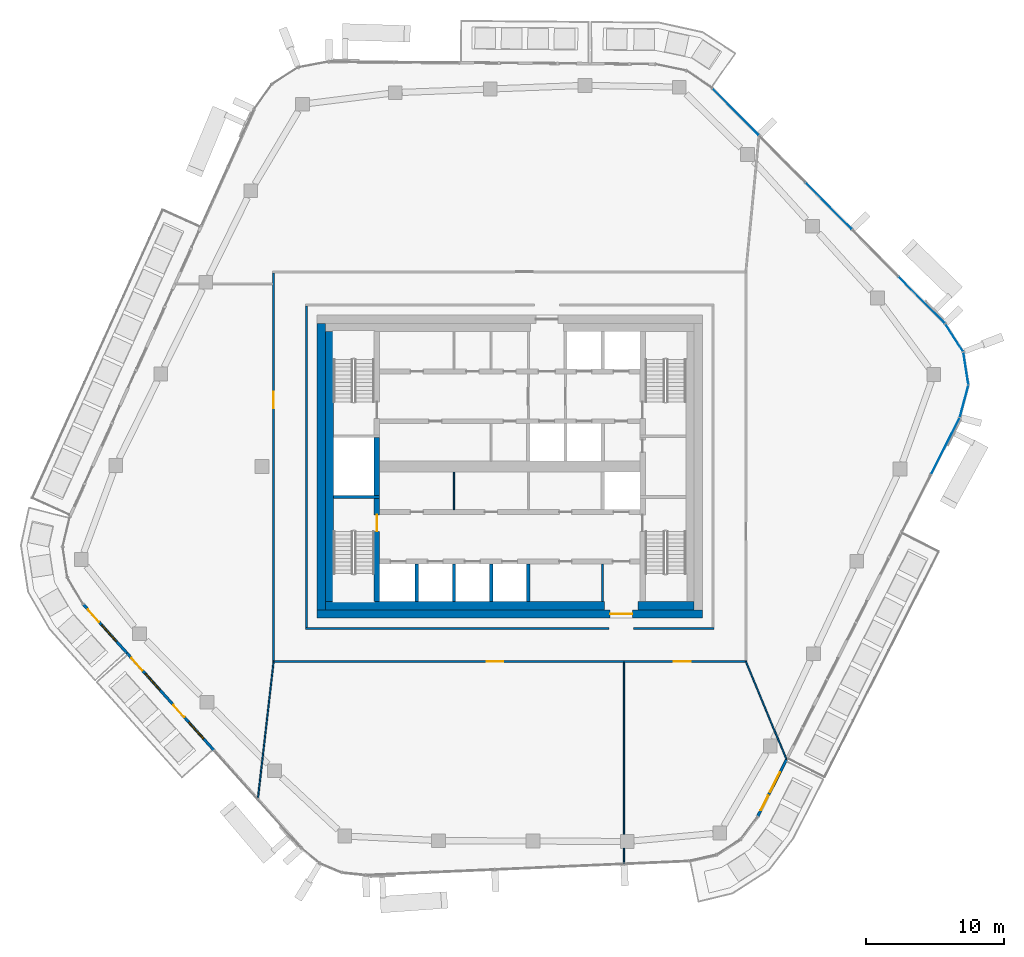
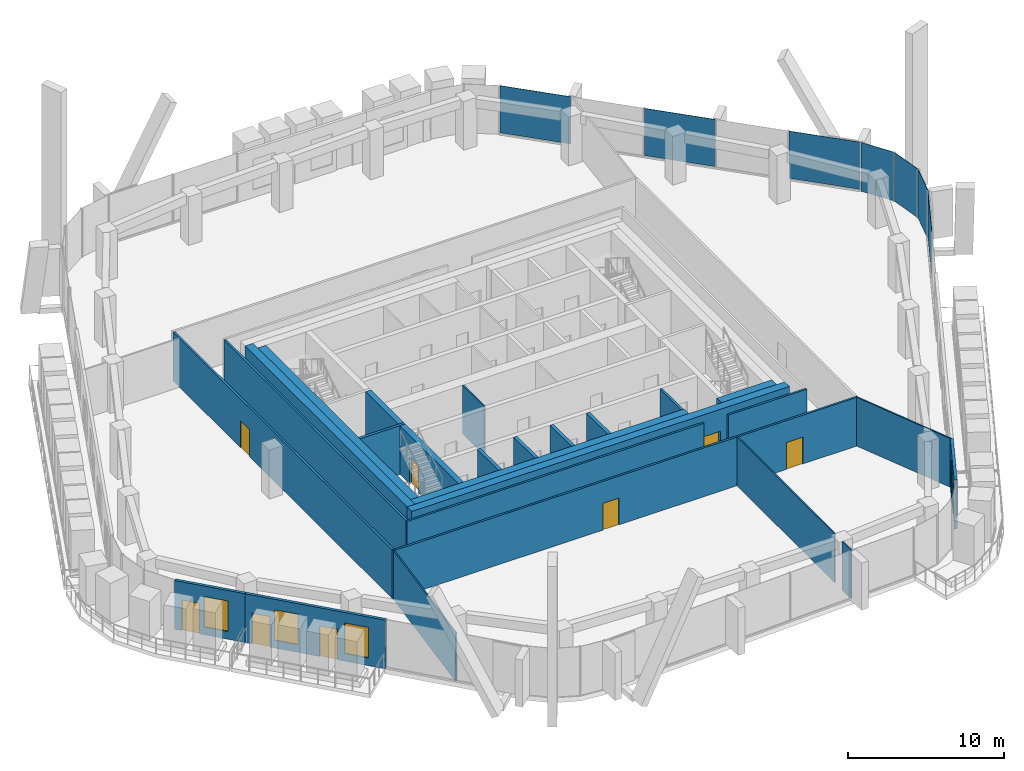
# One storey, part 12 of 23: 26 walls, 9 doors, 7 plates, 4 windows, 13 openings, 3 elements without a shape of their own.
"""IFC4 building model written with IfcOpenShell, lengths in metres."""

from ifc_helpers import new_model, si_unit, direction, frame, frame_2d, origin, origin_2d, place, context, subcontext, project, spatial, rectangle, extrude, material, layer, layer_set, type_object, element, fill, aggregate, save


model = new_model("IFC4")

# Units and contexts
model_context = context("Model", 3, precision=1e-05, world=origin(), true_north=direction((0.0, 1.0)))
body_context = subcontext(model_context, "Body", "Model", "MODEL_VIEW")
ifc_project = project(units=[si_unit("LENGTHUNIT", "METRE"), si_unit("AREAUNIT", "SQUARE_METRE"), si_unit("VOLUMEUNIT", "CUBIC_METRE"), si_unit("PLANEANGLEUNIT", "RADIAN"), si_unit("MASSUNIT", "GRAM", prefix="KILO")], contexts=[model_context])

# Site, building, storey
site_placement = place(None, origin())
site = spatial("IfcSite", under=ifc_project, at=site_placement, CompositionType="ELEMENT")
building_placement = place(site_placement, origin())
building = spatial("IfcBuilding", under=site, at=building_placement, Name="Dongbaek Canopy Tower", CompositionType="ELEMENT")
storey_placement = place(building_placement, frame((0.0, 0.0, 319.39990234375)))
storey = spatial("IfcBuildingStorey", under=building, at=storey_placement, Name="L68", CompositionType="ELEMENT", Elevation=319.39990234375)

# Curtain wall, plates
ifc_material_1 = material(Name="Aluminium 6063-T6 pale anodised", Category="aluminium")
ifc_layer_1 = layer(ifc_material_1, 0.199951171875)
ifc_layer_set_1 = layer_set([ifc_layer_1], Name="CW-1 unitised tower curtain wall")
curtain_wall_type = type_object("IfcCurtainWallType", Name="CW-1 unitised tower curtain wall", PredefinedType="NOTDEFINED", material=ifc_layer_set_1)
curtain_wall_1_placement = place(storey_placement, origin())
curtain_wall_1 = element("IfcCurtainWall", 1, at=curtain_wall_1_placement, inside=storey, type_object=curtain_wall_type, Name="CW-1 curtain wall K0.1", PredefinedType="NOTDEFINED")
ifc_material_2 = material(Name="Clear laminated glass", Category="glass")
ifc_layer_2 = layer(ifc_material_2, 0.028076171875)
ifc_layer_set_2 = layer_set([ifc_layer_2], Name="CW-1 glazed panel 28")
plate_type = type_object("IfcPlateType", Name="CW-1 glazed panel 28", PredefinedType="CURTAIN_PANEL", material=ifc_layer_set_2)
plate_1_placement = place(storey_placement, frame((33.002685546875, 4.7451171875, 0.0), z_axis=(0.0, 0.0, 1.0), x_axis=(0.257891541817, 0.966173872892, 0.0)))
plate_1 = element("IfcPlate", 2, at=plate_1_placement, type_object=plate_type, Name="CW-1 panel K0.1.1.1", PredefinedType="CURTAIN_PANEL", context=body_context, shape_type="SweptSolid", body=[
    extrude(rectangle(XDim=2.364013671875, YDim=0.028076171875, at=origin_2d()), origin(), (0.0, 0.0, 1.0), 3.820068359375),
])
plate_2_placement = place(storey_placement, frame((33.1298828125, 7.131591796875, 0.0), z_axis=(0.0, 0.0, 1.0), x_axis=(-0.154802153069, 0.98794549111, 0.0)))
plate_2 = element("IfcPlate", 3, at=plate_2_placement, type_object=plate_type, Name="CW-1 panel K0.1.2.1", PredefinedType="CURTAIN_PANEL", context=body_context, shape_type="SweptSolid", body=[
    extrude(rectangle(XDim=2.353271484375, YDim=0.028076171875, at=origin_2d()), origin(), (0.0, 0.0, 1.0), 3.820068359375),
])
plate_3_placement = place(storey_placement, frame((32.27880859375, 9.364990234375, 0.0), z_axis=(0.0, 0.0, 1.0), x_axis=(-0.54105717443, 0.840985810818, 0.0)))
plate_3 = element("IfcPlate", 4, at=plate_3_placement, type_object=plate_type, Name="CW-1 panel K0.1.3.1", PredefinedType="CURTAIN_PANEL", context=body_context, shape_type="SweptSolid", body=[
    extrude(rectangle(XDim=2.364013671875, YDim=0.028076171875, at=origin_2d()), origin(), (0.0, 0.0, 1.0), 3.820068359375),
])
aggregate(curtain_wall_1, [plate_1, plate_2, plate_3])

curtain_wall_2_placement = place(storey_placement, origin())
curtain_wall_2 = element("IfcCurtainWall", 5, at=curtain_wall_2_placement, inside=storey, type_object=curtain_wall_type, Name="CW-1 curtain wall F0.1", PredefinedType="NOTDEFINED")
plate_4_placement = place(storey_placement, frame((29.929931640625, 12.099853515625, 0.1201171875), z_axis=(0.0, 0.0, 1.0), x_axis=(-0.703156354287, 0.711035260325, 0.0)))
plate_4 = element("IfcPlate", 6, at=plate_4_placement, type_object=plate_type, Name="CW-1 panel F0.1.1.1", PredefinedType="CURTAIN_PANEL", context=body_context, shape_type="SweptSolid", body=[
    extrude(rectangle(XDim=4.713134765625, YDim=0.028076171875, at=origin_2d()), origin(), (0.0, 0.0, 1.0), 3.699951171875),
])
plate_5_placement = place(storey_placement, frame((23.172607421875, 18.93310546875, 0.1201171875), z_axis=(0.0, 0.0, 1.0), x_axis=(-0.703156354287, 0.711035260325, 0.0)))
plate_5 = element("IfcPlate", 7, at=plate_5_placement, type_object=plate_type, Name="CW-1 panel F0.1.3.1", PredefinedType="CURTAIN_PANEL", context=body_context, shape_type="SweptSolid", body=[
    extrude(rectangle(XDim=4.7236328125, YDim=0.028076171875, at=origin_2d()), origin(), (0.0, 0.0, 1.0), 3.699951171875),
])
plate_6_placement = place(storey_placement, frame((16.414794921875, 25.766357421875, 0.1201171875), z_axis=(0.0, 0.0, 1.0), x_axis=(-0.703156354287, 0.711035260325, 0.0)))
plate_6 = element("IfcPlate", 8, at=plate_6_placement, type_object=plate_type, Name="CW-1 panel F0.1.5.1", PredefinedType="CURTAIN_PANEL", context=body_context, shape_type="SweptSolid", body=[
    extrude(rectangle(XDim=4.7138671875, YDim=0.028076171875, at=origin_2d()), origin(), (0.0, 0.0, 1.0), 3.699951171875),
])
aggregate(curtain_wall_2, [plate_4, plate_5, plate_6])

# Curtain wall, plate
curtain_wall_3_placement = place(storey_placement, origin())
curtain_wall_3 = element("IfcCurtainWall", 9, at=curtain_wall_3_placement, inside=storey, type_object=curtain_wall_type, Name="CW-1 curtain wall F5.1", PredefinedType="NOTDEFINED")
plate_7_placement = place(storey_placement, frame((31.640380859375, 1.496337890625, 0.1201171875), z_axis=(0.0, 0.0, 1.0), x_axis=(0.451969985266, 0.892033145359, 0.0)))
plate_7 = element("IfcPlate", 10, at=plate_7_placement, type_object=plate_type, Name="CW-1 panel F5.1.2.1", PredefinedType="CURTAIN_PANEL", context=body_context, shape_type="SweptSolid", body=[
    extrude(rectangle(XDim=4.548095703125, YDim=0.028076171875, at=origin_2d()), origin(), (0.0, 0.0, 1.0), 3.699951171875),
])
aggregate(curtain_wall_3, [plate_7])

# Wall, opening, door
ifc_material_3 = material(Name="Concrete C80/95", Category="concrete")
ifc_layer_3 = layer(ifc_material_3, 0.60009765625)
ifc_layer_set_3 = layer_set([ifc_layer_3], Name="Core outer wall 600 Concrete C80/95")
wall_type_1 = type_object("IfcWallType", Name="Core outer wall 600 Concrete C80/95", PredefinedType="SHEAR", material=ifc_layer_set_3)
wall_1_placement = place(storey_placement, frame((14.0, -10.699951171875, 0.0), z_axis=(0.0, 0.0, 1.0), x_axis=(-1.0, 0.0, 0.0)))
wall_1 = element("IfcWall", 11, at=wall_1_placement, inside=storey, type_object=wall_type_1, Name="Core wall", PredefinedType="SHEAR", context=body_context, shape_type="SweptSolid", body=[
    extrude(rectangle(XDim=28.0, YDim=0.60009765625, at=frame_2d((14.0, 0.0))), origin(), (0.0, 0.0, 1.0), 3.820068359375),
])
opening_1_placement = place(wall_1_placement, frame((5.10009765625, 0.0, 0.0)))
opening_1 = element("IfcOpeningElement", 12, at=opening_1_placement, cuts=wall_1, Name="Opening L68-D019", PredefinedType="OPENING", context=body_context, shape_type="SweptSolid", body=[
    extrude(rectangle(XDim=1.60009765625, YDim=2.10009765625, at=frame_2d((0.800048828125, 1.050048828125))), frame((0.0, 0.31005859375, 0.0), z_axis=(0.0, -1.0, 0.0), x_axis=(1.0, 0.0, 0.0)), (0.0, 0.0, 1.0), 0.6201171875),
])
ifc_material_4 = material(Name="Steel", Category="steel")
door_type_1 = type_object("IfcDoorType", Name="Core exit door 1600 x 2100", OperationType="DOUBLE_DOOR_SINGLE_SWING", PredefinedType="DOOR", material=ifc_material_4)
door_1_placement = place(opening_1_placement, origin())
door_1 = element("IfcDoor", 13, at=door_1_placement, inside=storey, type_object=door_type_1, Name="Core exit door", OperationType="DOUBLE_DOOR_SINGLE_SWING", OverallHeight=2.10009765625, OverallWidth=1.60009765625, PredefinedType="DOOR", context=body_context, shape_type="SweptSolid", body=[
    extrude(rectangle(XDim=1.60009765625, YDim=2.10009765625, at=frame_2d((0.800048828125, 1.050048828125))), frame((0.0, 0.02490234375, 0.0), z_axis=(0.0, -1.0, 0.0), x_axis=(1.0, 0.0, 0.0)), (0.0, 0.0, 1.0), 0.050048828125),
])
fill(opening_1, door_1)

# Walls
wall_2_placement = place(storey_placement, frame((-13.699951171875, -10.39990234375, 0.0), z_axis=(0.0, 0.0, 1.0), x_axis=(0.0, 1.0, 0.0)))
element("IfcWall", 14, at=wall_2_placement, inside=storey, type_object=wall_type_1, Name="Core wall", PredefinedType="SHEAR", context=body_context, shape_type="SweptSolid", body=[
    extrude(rectangle(XDim=20.7998046875, YDim=0.60009765625, at=frame_2d((10.39990234375, 0.0))), origin(), (0.0, 0.0, 1.0), 3.820068359375),
])
ifc_material_5 = material(Name="Concrete C60/75", Category="concrete")
ifc_layer_4 = layer(ifc_material_5, 0.60009765625)
ifc_layer_set_4 = layer_set([ifc_layer_4], Name="Core wall lining 600 Concrete C60/75")
wall_type_2 = type_object("IfcWallType", Name="Core wall lining 600 Concrete C60/75", PredefinedType="SHEAR", material=ifc_layer_set_4)
wall_3_placement = place(storey_placement, frame((13.39990234375, -10.10009765625, 0.0), z_axis=(0.0, 0.0, 1.0), x_axis=(-1.0, 0.0, 0.0)))
element("IfcWall", 15, at=wall_3_placement, inside=storey, type_object=wall_type_2, Name="Core wall lining", PredefinedType="SHEAR", context=body_context, shape_type="SweptSolid", body=[
    extrude(rectangle(XDim=4.099853515625, YDim=0.60009765625, at=frame_2d((2.0498046875, 0.0))), origin(), (0.0, 0.0, 1.0), 3.820068359375),
])
wall_4_placement = place(storey_placement, frame((6.89990234375, -10.10009765625, 0.0), z_axis=(0.0, 0.0, 1.0), x_axis=(-1.0, 0.0, 0.0)))
element("IfcWall", 16, at=wall_4_placement, inside=storey, type_object=wall_type_2, Name="Core wall lining", PredefinedType="SHEAR", context=body_context, shape_type="SweptSolid", body=[
    extrude(rectangle(XDim=20.2998046875, YDim=0.60009765625, at=frame_2d((10.14990234375, 0.0))), origin(), (0.0, 0.0, 1.0), 3.820068359375),
])
wall_5_placement = place(storey_placement, frame((-13.10009765625, -9.800048828125, 0.0), z_axis=(0.0, 0.0, 1.0), x_axis=(0.0, 1.0, 0.0)))
element("IfcWall", 17, at=wall_5_placement, inside=storey, type_object=wall_type_2, Name="Core wall lining", PredefinedType="SHEAR", context=body_context, shape_type="SweptSolid", body=[
    extrude(rectangle(XDim=19.60009765625, YDim=0.60009765625, at=frame_2d((9.800048828125, 0.0))), origin(), (0.0, 0.0, 1.0), 3.820068359375),
])

# Wall, openings, doors
ifc_material_6 = material(Name="Gypsum board partition, steel stud, 2 x 15 mm fire board", Category="steel")
ifc_layer_5 = layer(ifc_material_6, 0.14990234375)
ifc_layer_set_5 = layer_set([ifc_layer_5], Name="Fire-rated partition 150 gypsum board")
wall_type_3 = type_object("IfcWallType", Name="Fire-rated partition 150 gypsum board", PredefinedType="PARTITIONING", material=ifc_layer_set_5)
wall_6_placement = place(storey_placement, frame((17.22509765625, -14.14990234375, 0.0), z_axis=(0.0, 0.0, 1.0), x_axis=(-1.0, 0.0, 0.0)))
wall_6 = element("IfcWall", 18, at=wall_6_placement, inside=storey, type_object=wall_type_3, Name="Corridor partition", PredefinedType="PARTITIONING", context=body_context, shape_type="SweptSolid", body=[
    extrude(rectangle(XDim=34.4501953125, YDim=0.14990234375, at=frame_2d((17.22509765625, 0.0))), origin(), (0.0, 0.0, 1.0), 3.820068359375),
])
opening_2_placement = place(wall_6_placement, frame((17.7109375, 0.0, 0.0)))
opening_2 = element("IfcOpeningElement", 19, at=opening_2_placement, cuts=wall_6, Name="Opening L68-D002", PredefinedType="OPENING", context=body_context, shape_type="SweptSolid", body=[
    extrude(rectangle(XDim=1.199951171875, YDim=2.10009765625, at=frame_2d((0.60009765625, 1.050048828125))), frame((0.0, 0.0849609375, 0.0), z_axis=(0.0, -1.0, 0.0), x_axis=(1.0, 0.0, 0.0)), (0.0, 0.0, 1.0), 0.169921875),
])
opening_3_placement = place(wall_6_placement, frame((4.094482421875, 0.0, 0.0)))
opening_3 = element("IfcOpeningElement", 20, at=opening_3_placement, cuts=wall_6, Name="Opening L68-D003", PredefinedType="OPENING", context=body_context, shape_type="SweptSolid", body=[
    extrude(rectangle(XDim=1.199951171875, YDim=2.10009765625, at=frame_2d((0.60009765625, 1.050048828125))), frame((0.0, 0.0849609375, 0.0), z_axis=(0.0, -1.0, 0.0), x_axis=(1.0, 0.0, 0.0)), (0.0, 0.0, 1.0), 0.169921875),
])
ifc_material_7 = material(Name="Timber veneered door leaf", Category="wood")
door_type_2 = type_object("IfcDoorType", Name="Room door 1200 x 2100", OperationType="SINGLE_SWING_LEFT", PredefinedType="DOOR", material=ifc_material_7)
door_2_placement = place(opening_2_placement, origin())
door_2 = element("IfcDoor", 21, at=door_2_placement, inside=storey, type_object=door_type_2, Name="Door L68-D002", OperationType="SINGLE_SWING_LEFT", OverallHeight=2.10009765625, OverallWidth=1.199951171875, PredefinedType="DOOR", context=body_context, shape_type="SweptSolid", body=[
    extrude(rectangle(XDim=1.199951171875, YDim=2.10009765625, at=frame_2d((0.60009765625, 1.050048828125))), frame((0.0, 0.02490234375, 0.0), z_axis=(0.0, -1.0, 0.0), x_axis=(1.0, 0.0, 0.0)), (0.0, 0.0, 1.0), 0.050048828125),
])
fill(opening_2, door_2)
door_3_placement = place(opening_3_placement, origin())
door_3 = element("IfcDoor", 22, at=door_3_placement, inside=storey, type_object=door_type_2, Name="Door L68-D003", OperationType="SINGLE_SWING_RIGHT", OverallHeight=2.10009765625, OverallWidth=1.199951171875, PredefinedType="DOOR", context=body_context, shape_type="SweptSolid", body=[
    extrude(rectangle(XDim=1.199951171875, YDim=2.10009765625, at=frame_2d((0.60009765625, 1.050048828125))), frame((0.0, 0.02490234375, 0.0), z_axis=(0.0, -1.0, 0.0), x_axis=(1.0, 0.0, 0.0)), (0.0, 0.0, 1.0), 0.050048828125),
])
fill(opening_3, door_3)

# Walls
wall_7_placement = place(storey_placement, frame((-14.824951171875, -11.75, 0.0), z_axis=(0.0, 0.0, 1.0), x_axis=(1.0, 0.0, 0.0)))
element("IfcWall", 23, at=wall_7_placement, inside=storey, type_object=wall_type_3, Name="Corridor partition", PredefinedType="PARTITIONING", context=body_context, shape_type="SweptSolid", body=[
    extrude(rectangle(XDim=22.02490234375, YDim=0.14990234375, at=frame_2d((11.012451171875, 0.0))), origin(), (0.0, 0.0, 1.0), 3.820068359375),
])
wall_8_placement = place(storey_placement, frame((9.0, -11.75, 0.0), z_axis=(0.0, 0.0, 1.0), x_axis=(1.0, 0.0, 0.0)))
element("IfcWall", 24, at=wall_8_placement, inside=storey, type_object=wall_type_3, Name="Corridor partition", PredefinedType="PARTITIONING", context=body_context, shape_type="SweptSolid", body=[
    extrude(rectangle(XDim=5.824951171875, YDim=0.14990234375, at=frame_2d((2.91259765625, 0.0))), origin(), (0.0, 0.0, 1.0), 3.820068359375),
])
wall_9_placement = place(storey_placement, frame((-14.75, -11.675048828125, 0.0), z_axis=(0.0, 0.0, 1.0), x_axis=(0.0, 1.0, 0.0)))
element("IfcWall", 25, at=wall_9_placement, inside=storey, type_object=wall_type_3, Name="Corridor partition", PredefinedType="PARTITIONING", context=body_context, shape_type="SweptSolid", body=[
    extrude(rectangle(XDim=23.35009765625, YDim=0.14990234375, at=frame_2d((11.675048828125, 0.0))), origin(), (0.0, 0.0, 1.0), 3.820068359375),
])

# Wall, opening, door
wall_10_placement = place(storey_placement, frame((-17.14990234375, -14.074951171875, 0.0), z_axis=(0.0, 0.0, 1.0), x_axis=(0.0, 1.0, 0.0)))
wall_10 = element("IfcWall", 26, at=wall_10_placement, inside=storey, type_object=wall_type_3, Name="Corridor partition", PredefinedType="PARTITIONING", context=body_context, shape_type="SweptSolid", body=[
    extrude(rectangle(XDim=28.14990234375, YDim=0.14990234375, at=frame_2d((14.074951171875, 0.0))), origin(), (0.0, 0.0, 1.0), 3.820068359375),
])
opening_4_placement = place(wall_10_placement, frame((18.2978515625, 0.0, 0.0)))
opening_4 = element("IfcOpeningElement", 27, at=opening_4_placement, cuts=wall_10, Name="Opening L68-D001", PredefinedType="OPENING", context=body_context, shape_type="SweptSolid", body=[
    extrude(rectangle(XDim=1.199951171875, YDim=2.10009765625, at=frame_2d((0.60009765625, 1.050048828125))), frame((0.0, 0.0849609375, 0.0), z_axis=(0.0, -1.0, 0.0), x_axis=(1.0, 0.0, 0.0)), (0.0, 0.0, 1.0), 0.169921875),
])
door_4_placement = place(opening_4_placement, origin())
door_4 = element("IfcDoor", 28, at=door_4_placement, inside=storey, type_object=door_type_2, Name="Door L68-D001", OperationType="SINGLE_SWING_RIGHT", OverallHeight=2.10009765625, OverallWidth=1.199951171875, PredefinedType="DOOR", context=body_context, shape_type="SweptSolid", body=[
    extrude(rectangle(XDim=1.199951171875, YDim=2.10009765625, at=frame_2d((0.60009765625, 1.050048828125))), frame((0.0, 0.02490234375, 0.0), z_axis=(0.0, -1.0, 0.0), x_axis=(1.0, 0.0, 0.0)), (0.0, 0.0, 1.0), 0.050048828125),
])
fill(opening_4, door_4)

# Walls
wall_11_placement = place(storey_placement, frame((6.75, -9.800048828125, 0.0), z_axis=(0.0, 0.0, 1.0), x_axis=(0.0, 1.0, 0.0)))
element("IfcWall", 29, at=wall_11_placement, inside=storey, type_object=wall_type_3, Name="Fire lobby partition", PredefinedType="PARTITIONING", context=body_context, shape_type="SweptSolid", body=[
    extrude(rectangle(XDim=2.72509765625, YDim=0.14990234375, at=frame_2d((1.362548828125, 0.0))), origin(), (0.0, 0.0, 1.0), 3.820068359375),
])
ifc_material_8 = material(Name="Concrete C40/50", Category="concrete")
ifc_layer_6 = layer(ifc_material_8, 0.25)
ifc_layer_set_6 = layer_set([ifc_layer_6], Name="Lift shaft wall 250 Concrete C40/50")
wall_type_4 = type_object("IfcWallType", Name="Lift shaft wall 250 Concrete C40/50", PredefinedType="SOLIDWALL", material=ifc_layer_set_6)
for number, where, z_axis, x_axis, name in (
    (30, (1.35009765625, -9.800048828125, 0.0), (0.0, 0.0, 1.0), (0.0, 1.0, 0.0), "Lift shaft wall"),
    (31, (-1.35009765625, -9.800048828125, 0.0), (0.0, 0.0, 1.0), (0.0, 1.0, 0.0), "Lift shaft wall"),
    (32, (-4.050048828125, -9.800048828125, 0.0), (0.0, 0.0, 1.0), (0.0, 1.0, 0.0), "Lift shaft wall"),
    (33, (-6.75, -9.800048828125, 0.0), (0.0, 0.0, 1.0), (0.0, 1.0, 0.0), "Lift shaft wall"),
):
    element("IfcWall", number, at=place(storey_placement, frame(where, z_axis=z_axis, x_axis=x_axis)), inside=storey, type_object=wall_type_4, Name=name, PredefinedType="SOLIDWALL", context=body_context, shape_type="SweptSolid", body=[
        extrude(rectangle(XDim=2.72509765625, YDim=0.25, at=frame_2d((1.362548828125, 0.0))), origin(), (0.0, 0.0, 1.0), 3.820068359375),
    ])
ifc_material_9 = material(Name="Gypsum board partition, steel stud, 2 x 12.5 mm board", Category="steel")
ifc_layer_7 = layer(ifc_material_9, 0.10009765625)
ifc_layer_set_7 = layer_set([ifc_layer_7], Name="Partition 100 gypsum board")
wall_type_5 = type_object("IfcWallType", Name="Partition 100 gypsum board", PredefinedType="PARTITIONING", material=ifc_layer_set_7)
wall_12_placement = place(storey_placement, frame((-18.295654296875, -24.140380859375, 0.0), z_axis=(0.0, 0.0, 1.0), x_axis=(0.11391359401, 0.993490660801, 0.0)))
element("IfcWall", 34, at=wall_12_placement, inside=storey, type_object=wall_type_5, Name="Partition", PredefinedType="PARTITIONING", context=body_context, shape_type="SweptSolid", body=[
    extrude(rectangle(XDim=10.055908203125, YDim=0.10009765625, at=frame_2d((5.02783203125, 0.0))), origin(), (0.0, 0.0, 1.0), 3.820068359375),
])
wall_13_placement = place(storey_placement, frame((8.302978515625, -28.82958984375, 0.0), z_axis=(0.0, 0.0, 1.0), x_axis=(0.0, 1.0, 0.0)))
element("IfcWall", 35, at=wall_13_placement, inside=storey, type_object=wall_type_5, Name="Partition", PredefinedType="PARTITIONING", context=body_context, shape_type="SweptSolid", body=[
    extrude(rectangle(XDim=1.1025390625, YDim=0.10009765625, at=frame_2d((0.55126953125, 0.0))), origin(), (0.0, 0.0, 1.0), 3.820068359375),
])
wall_14_placement = place(storey_placement, frame((8.302978515625, -26.72705078125, 0.0), z_axis=(0.0, 0.0, 1.0), x_axis=(0.0, 1.0, 0.0)))
element("IfcWall", 36, at=wall_14_placement, inside=storey, type_object=wall_type_5, Name="Partition", PredefinedType="PARTITIONING", context=body_context, shape_type="SweptSolid", body=[
    extrude(rectangle(XDim=12.501953125, YDim=0.10009765625, at=frame_2d((6.2509765625, 0.0))), origin(), (0.0, 0.0, 1.0), 3.820068359375),
])
wall_15_placement = place(storey_placement, frame((17.150390625, -14.14990234375, 0.0), z_axis=(0.0, 0.0, 1.0), x_axis=(0.382693080748, -0.923875535961, 0.0)))
element("IfcWall", 37, at=wall_15_placement, inside=storey, type_object=wall_type_5, Name="Partition", PredefinedType="PARTITIONING", context=body_context, shape_type="SweptSolid", body=[
    extrude(rectangle(XDim=7.686767578125, YDim=0.10009765625, at=frame_2d((3.84326171875, 0.0))), origin(), (0.0, 0.0, 1.0), 3.820068359375),
])
wall_16_placement = place(storey_placement, frame((-4.050048828125, -3.125, 0.0), z_axis=(0.0, 0.0, 1.0), x_axis=(0.0, 1.0, 0.0)))
element("IfcWall", 38, at=wall_16_placement, inside=storey, type_object=wall_type_5, Name="Core partition", PredefinedType="PARTITIONING", context=body_context, shape_type="SweptSolid", body=[
    extrude(rectangle(XDim=2.72509765625, YDim=0.10009765625, at=frame_2d((1.362548828125, 0.0))), origin(), (0.0, 0.0, 1.0), 3.820068359375),
])
ifc_material_10 = material(Name="Concrete C60/75", Category="concrete")
ifc_layer_8 = layer(ifc_material_10, 0.199951171875)
ifc_layer_set_8 = layer_set([ifc_layer_8], Name="Riser wall 200 Concrete C60/75")
wall_type_6 = type_object("IfcWallType", Name="Riser wall 200 Concrete C60/75", PredefinedType="SHEAR", material=ifc_layer_set_8)
wall_17_placement = place(storey_placement, frame((-9.449951171875, -2.199951171875, 0.0), z_axis=(0.0, 0.0, 1.0), x_axis=(-1.0, 0.0, 0.0)))
element("IfcWall", 39, at=wall_17_placement, inside=storey, type_object=wall_type_6, Name="Riser wall", PredefinedType="SHEAR", context=body_context, shape_type="SweptSolid", body=[
    extrude(rectangle(XDim=3.35009765625, YDim=0.199951171875, at=frame_2d((1.675048828125, 0.0))), origin(), (0.0, 0.0, 1.0), 3.820068359375),
])

# Wall, opening, door
ifc_material_11 = material(Name="Concrete C60/75", Category="concrete")
ifc_layer_9 = layer(ifc_material_11, 0.39990234375)
ifc_layer_set_9 = layer_set([ifc_layer_9], Name="Stair wall 400 Concrete C60/75")
wall_type_7 = type_object("IfcWallType", Name="Stair wall 400 Concrete C60/75", PredefinedType="SHEAR", material=ifc_layer_set_9)
wall_18_placement = place(storey_placement, frame((-9.64990234375, -9.800048828125, 0.0), z_axis=(0.0, 0.0, 1.0), x_axis=(0.0, 1.0, 0.0)))
wall_18 = element("IfcWall", 40, at=wall_18_placement, inside=storey, type_object=wall_type_7, Name="Stair wall", PredefinedType="SHEAR", context=body_context, shape_type="SweptSolid", body=[
    extrude(rectangle(XDim=7.5, YDim=0.39990234375, at=frame_2d((3.75, 0.0))), origin(), (0.0, 0.0, 1.0), 3.820068359375),
])
opening_5_placement = place(wall_18_placement, frame((5.10009765625, 0.0, 0.0)))
opening_5 = element("IfcOpeningElement", 41, at=opening_5_placement, cuts=wall_18, Name="Opening L68-D033", PredefinedType="OPENING", context=body_context, shape_type="SweptSolid", body=[
    extrude(rectangle(XDim=1.199951171875, YDim=2.10009765625, at=frame_2d((0.60009765625, 1.050048828125))), frame((0.0, 0.2099609375, 0.0), z_axis=(0.0, -1.0, 0.0), x_axis=(1.0, 0.0, 0.0)), (0.0, 0.0, 1.0), 0.419921875),
])
ifc_material_12 = material(Name="Steel", Category="steel")
door_type_3 = type_object("IfcDoorType", Name="Stair door 1200 x 2100", OperationType="SINGLE_SWING_LEFT", PredefinedType="DOOR", material=ifc_material_12)
door_5_placement = place(opening_5_placement, origin())
door_5 = element("IfcDoor", 42, at=door_5_placement, inside=storey, type_object=door_type_3, Name="Stair D door", OperationType="SINGLE_SWING_LEFT", OverallHeight=2.10009765625, OverallWidth=1.199951171875, PredefinedType="DOOR", context=body_context, shape_type="SweptSolid", body=[
    extrude(rectangle(XDim=1.199951171875, YDim=2.10009765625, at=frame_2d((0.60009765625, 1.050048828125))), frame((0.0, 0.02490234375, 0.0), z_axis=(0.0, -1.0, 0.0), x_axis=(1.0, 0.0, 0.0)), (0.0, 0.0, 1.0), 0.050048828125),
])
fill(opening_5, door_5)

# Wall
wall_19_placement = place(storey_placement, frame((-9.64990234375, -2.10009765625, 0.0), z_axis=(0.0, 0.0, 1.0), x_axis=(0.0, 1.0, 0.0)))
element("IfcWall", 43, at=wall_19_placement, inside=storey, type_object=wall_type_7, Name="Stair wall", PredefinedType="SHEAR", context=body_context, shape_type="SweptSolid", body=[
    extrude(rectangle(XDim=4.2001953125, YDim=0.39990234375, at=frame_2d((2.10009765625, 0.0))), origin(), (0.0, 0.0, 1.0), 3.820068359375),
])

# Wall, openings, doors, windows
ifc_material_13 = material(Name="Aluminium window wall", Category="aluminium")
ifc_layer_10 = layer(ifc_material_13, 0.199951171875)
ifc_layer_set_10 = layer_set([ifc_layer_10], Name="Window wall 200")
wall_type_8 = type_object("IfcWallType", Name="Window wall 200", PredefinedType="SOLIDWALL", material=ifc_layer_set_10)
wall_20_placement = place(storey_placement, frame((-27.807373046875, -13.5419921875, 0.0), z_axis=(0.0, 0.0, 1.0), x_axis=(0.666894702572, -0.745151968179, 0.0)))
wall_20 = element("IfcWall", 44, at=wall_20_placement, inside=storey, type_object=wall_type_8, Name="Window wall L68 3", PredefinedType="SOLIDWALL", context=body_context, shape_type="SweptSolid", body=[
    extrude(rectangle(XDim=9.505859375, YDim=0.199951171875, at=frame_2d((4.7529296875, 0.0))), origin(), (0.0, 0.0, 1.0), 3.820068359375),
])
opening_6_placement = place(wall_20_placement, frame((2.0, 0.0, 0.60009765625)))
opening_6 = element("IfcOpeningElement", 45, at=opening_6_placement, cuts=wall_20, Name="Opening W1", PredefinedType="OPENING", context=body_context, shape_type="SweptSolid", body=[
    extrude(rectangle(XDim=1.60009765625, YDim=2.39990234375, at=frame_2d((0.800048828125, 1.199951171875))), frame((0.0, 0.10986328125, 0.0), z_axis=(0.0, -1.0, 0.0), x_axis=(1.0, 0.0, 0.0)), (0.0, 0.0, 1.0), 0.219970703125),
])
opening_7_placement = place(wall_20_placement, frame((0.5, 0.0, 0.0)))
opening_7 = element("IfcOpeningElement", 46, at=opening_7_placement, cuts=wall_20, Name="Opening L68-B09", PredefinedType="OPENING", context=body_context, shape_type="SweptSolid", body=[
    extrude(rectangle(XDim=1.199951171875, YDim=2.39990234375, at=frame_2d((0.60009765625, 1.199951171875))), frame((0.0, 0.10986328125, 0.0), z_axis=(0.0, -1.0, 0.0), x_axis=(1.0, 0.0, 0.0)), (0.0, 0.0, 1.0), 0.219970703125),
])
opening_8_placement = place(wall_20_placement, frame((6.7529296875, 0.0, 0.60009765625)))
opening_8 = element("IfcOpeningElement", 47, at=opening_8_placement, cuts=wall_20, Name="Opening W1", PredefinedType="OPENING", context=body_context, shape_type="SweptSolid", body=[
    extrude(rectangle(XDim=1.60009765625, YDim=2.39990234375, at=frame_2d((0.800048828125, 1.199951171875))), frame((0.0, 0.10986328125, 0.0), z_axis=(0.0, -1.0, 0.0), x_axis=(1.0, 0.0, 0.0)), (0.0, 0.0, 1.0), 0.219970703125),
])
opening_9_placement = place(wall_20_placement, frame((5.052978515625, 0.0, 0.0)))
opening_9 = element("IfcOpeningElement", 48, at=opening_9_placement, cuts=wall_20, Name="Opening L68-B10", PredefinedType="OPENING", context=body_context, shape_type="SweptSolid", body=[
    extrude(rectangle(XDim=1.199951171875, YDim=2.39990234375, at=frame_2d((0.60009765625, 1.199951171875))), frame((0.0, 0.10986328125, 0.0), z_axis=(0.0, -1.0, 0.0), x_axis=(1.0, 0.0, 0.0)), (0.0, 0.0, 1.0), 0.219970703125),
])
ifc_material_14 = material(Name="Clear glazing in aluminium frame", Category="aluminium")
door_type_4 = type_object("IfcDoorType", Name="Balcony door BD1 1200 x 2400", OperationType="SLIDING_TO_LEFT", PredefinedType="DOOR", material=ifc_material_14)
door_6_placement = place(opening_7_placement, origin())
door_6 = element("IfcDoor", 49, at=door_6_placement, inside=storey, type_object=door_type_4, Name="Balcony door L68-B09", OperationType="SLIDING_TO_LEFT", OverallHeight=2.39990234375, OverallWidth=1.199951171875, PredefinedType="DOOR", context=body_context, shape_type="SweptSolid", body=[
    extrude(rectangle(XDim=1.199951171875, YDim=2.39990234375, at=frame_2d((0.60009765625, 1.199951171875))), frame((0.0, 0.02490234375, 0.0), z_axis=(0.0, -1.0, 0.0), x_axis=(1.0, 0.0, 0.0)), (0.0, 0.0, 1.0), 0.050048828125),
])
fill(opening_7, door_6)
door_7_placement = place(opening_9_placement, origin())
door_7 = element("IfcDoor", 50, at=door_7_placement, inside=storey, type_object=door_type_4, Name="Balcony door L68-B10", OperationType="SLIDING_TO_LEFT", OverallHeight=2.39990234375, OverallWidth=1.199951171875, PredefinedType="DOOR", context=body_context, shape_type="SweptSolid", body=[
    extrude(rectangle(XDim=1.199951171875, YDim=2.39990234375, at=frame_2d((0.60009765625, 1.199951171875))), frame((0.0, 0.02490234375, 0.0), z_axis=(0.0, -1.0, 0.0), x_axis=(1.0, 0.0, 0.0)), (0.0, 0.0, 1.0), 0.050048828125),
])
fill(opening_9, door_7)
ifc_material_15 = material(Name="Clear glazing in aluminium frame", Category="aluminium")
window_type = type_object("IfcWindowType", Name="Window W1 1600 x 2400", PartitioningType="SINGLE_PANEL", PredefinedType="WINDOW", material=ifc_material_15)
window_1_placement = place(opening_6_placement, origin())
window_1 = element("IfcWindow", 51, at=window_1_placement, inside=storey, type_object=window_type, Name="Window L68 3.1", OverallHeight=2.39990234375, OverallWidth=1.60009765625, PartitioningType="SINGLE_PANEL", PredefinedType="WINDOW", context=body_context, shape_type="SweptSolid", body=[
    extrude(rectangle(XDim=1.60009765625, YDim=2.39990234375, at=frame_2d((0.800048828125, 1.199951171875))), frame((0.0, 0.030029296875, 0.0), z_axis=(0.0, -1.0, 0.0), x_axis=(1.0, 0.0, 0.0)), (0.0, 0.0, 1.0), 0.06005859375),
])
fill(opening_6, window_1)
window_2_placement = place(opening_8_placement, origin())
window_2 = element("IfcWindow", 52, at=window_2_placement, inside=storey, type_object=window_type, Name="Window L68 3.2", OverallHeight=2.39990234375, OverallWidth=1.60009765625, PartitioningType="SINGLE_PANEL", PredefinedType="WINDOW", context=body_context, shape_type="SweptSolid", body=[
    extrude(rectangle(XDim=1.60009765625, YDim=2.39990234375, at=frame_2d((0.800048828125, 1.199951171875))), frame((0.0, 0.030029296875, 0.0), z_axis=(0.0, -1.0, 0.0), x_axis=(1.0, 0.0, 0.0)), (0.0, 0.0, 1.0), 0.06005859375),
])
fill(opening_8, window_2)

# Wall, openings, door, window
wall_21_placement = place(storey_placement, frame((-30.970458984375, -10.00732421875, 0.0), z_axis=(0.0, 0.0, 1.0), x_axis=(0.666852029375, -0.745190157556, 0.0)))
wall_21 = element("IfcWall", 53, at=wall_21_placement, inside=storey, type_object=wall_type_8, Name="Window wall L68 6", PredefinedType="SOLIDWALL", context=body_context, shape_type="SweptSolid", body=[
    extrude(rectangle(XDim=4.743408203125, YDim=0.199951171875, at=frame_2d((2.37158203125, 0.0))), origin(), (0.0, 0.0, 1.0), 3.820068359375),
])
opening_10_placement = place(wall_21_placement, frame((2.0, 0.0, 0.60009765625)))
opening_10 = element("IfcOpeningElement", 54, at=opening_10_placement, cuts=wall_21, Name="Opening W1", PredefinedType="OPENING", context=body_context, shape_type="SweptSolid", body=[
    extrude(rectangle(XDim=1.60009765625, YDim=2.39990234375, at=frame_2d((0.800048828125, 1.199951171875))), frame((0.0, 0.10986328125, 0.0), z_axis=(0.0, -1.0, 0.0), x_axis=(1.0, 0.0, 0.0)), (0.0, 0.0, 1.0), 0.219970703125),
])
opening_11_placement = place(wall_21_placement, frame((0.5, 0.0, 0.0)))
opening_11 = element("IfcOpeningElement", 55, at=opening_11_placement, cuts=wall_21, Name="Opening L68-B11", PredefinedType="OPENING", context=body_context, shape_type="SweptSolid", body=[
    extrude(rectangle(XDim=1.199951171875, YDim=2.39990234375, at=frame_2d((0.60009765625, 1.199951171875))), frame((0.0, 0.10986328125, 0.0), z_axis=(0.0, -1.0, 0.0), x_axis=(1.0, 0.0, 0.0)), (0.0, 0.0, 1.0), 0.219970703125),
])
door_8_placement = place(opening_11_placement, origin())
door_8 = element("IfcDoor", 56, at=door_8_placement, inside=storey, type_object=door_type_4, Name="Balcony door L68-B11", OperationType="SLIDING_TO_LEFT", OverallHeight=2.39990234375, OverallWidth=1.199951171875, PredefinedType="DOOR", context=body_context, shape_type="SweptSolid", body=[
    extrude(rectangle(XDim=1.199951171875, YDim=2.39990234375, at=frame_2d((0.60009765625, 1.199951171875))), frame((0.0, 0.02490234375, 0.0), z_axis=(0.0, -1.0, 0.0), x_axis=(1.0, 0.0, 0.0)), (0.0, 0.0, 1.0), 0.050048828125),
])
fill(opening_11, door_8)
window_3_placement = place(opening_10_placement, origin())
window_3 = element("IfcWindow", 57, at=window_3_placement, inside=storey, type_object=window_type, Name="Window L68 6.1", OverallHeight=2.39990234375, OverallWidth=1.60009765625, PartitioningType="SINGLE_PANEL", PredefinedType="WINDOW", context=body_context, shape_type="SweptSolid", body=[
    extrude(rectangle(XDim=1.60009765625, YDim=2.39990234375, at=frame_2d((0.800048828125, 1.199951171875))), frame((0.0, 0.030029296875, 0.0), z_axis=(0.0, -1.0, 0.0), x_axis=(1.0, 0.0, 0.0)), (0.0, 0.0, 1.0), 0.06005859375),
])
fill(opening_10, window_3)

wall_22_placement = place(storey_placement, frame((18.008056640625, -25.4091796875, 0.0), z_axis=(0.0, 0.0, 1.0), x_axis=(0.451970383378, 0.892032943646, 0.0)))
wall_22 = element("IfcWall", 58, at=wall_22_placement, inside=storey, type_object=wall_type_8, Name="Window wall L68 7", PredefinedType="SOLIDWALL", context=body_context, shape_type="SweptSolid", body=[
    extrude(rectangle(XDim=4.633544921875, YDim=0.199951171875, at=frame_2d((2.31689453125, 0.0))), origin(), (0.0, 0.0, 1.0), 3.820068359375),
])
opening_12_placement = place(wall_22_placement, frame((2.0, 0.0, 0.60009765625)))
opening_12 = element("IfcOpeningElement", 59, at=opening_12_placement, cuts=wall_22, Name="Opening W1", PredefinedType="OPENING", context=body_context, shape_type="SweptSolid", body=[
    extrude(rectangle(XDim=1.60009765625, YDim=2.39990234375, at=frame_2d((0.800048828125, 1.199951171875))), frame((0.0, 0.10986328125, 0.0), z_axis=(0.0, -1.0, 0.0), x_axis=(1.0, 0.0, 0.0)), (0.0, 0.0, 1.0), 0.219970703125),
])
opening_13_placement = place(wall_22_placement, frame((0.5, 0.0, 0.0)))
opening_13 = element("IfcOpeningElement", 60, at=opening_13_placement, cuts=wall_22, Name="Opening L68-B16", PredefinedType="OPENING", context=body_context, shape_type="SweptSolid", body=[
    extrude(rectangle(XDim=1.199951171875, YDim=2.39990234375, at=frame_2d((0.60009765625, 1.199951171875))), frame((0.0, 0.10986328125, 0.0), z_axis=(0.0, -1.0, 0.0), x_axis=(1.0, 0.0, 0.0)), (0.0, 0.0, 1.0), 0.219970703125),
])
door_9_placement = place(opening_13_placement, origin())
door_9 = element("IfcDoor", 61, at=door_9_placement, inside=storey, type_object=door_type_4, Name="Balcony door L68-B16", OperationType="SLIDING_TO_LEFT", OverallHeight=2.39990234375, OverallWidth=1.199951171875, PredefinedType="DOOR", context=body_context, shape_type="SweptSolid", body=[
    extrude(rectangle(XDim=1.199951171875, YDim=2.39990234375, at=frame_2d((0.60009765625, 1.199951171875))), frame((0.0, 0.02490234375, 0.0), z_axis=(0.0, -1.0, 0.0), x_axis=(1.0, 0.0, 0.0)), (0.0, 0.0, 1.0), 0.050048828125),
])
fill(opening_13, door_9)
window_4_placement = place(opening_12_placement, origin())
window_4 = element("IfcWindow", 62, at=window_4_placement, inside=storey, type_object=window_type, Name="Window L68 7.1", OverallHeight=2.39990234375, OverallWidth=1.60009765625, PartitioningType="SINGLE_PANEL", PredefinedType="WINDOW", context=body_context, shape_type="SweptSolid", body=[
    extrude(rectangle(XDim=1.60009765625, YDim=2.39990234375, at=frame_2d((0.800048828125, 1.199951171875))), frame((0.0, 0.030029296875, 0.0), z_axis=(0.0, -1.0, 0.0), x_axis=(1.0, 0.0, 0.0)), (0.0, 0.0, 1.0), 0.06005859375),
])
fill(opening_12, window_4)

save(model, "model.ifc")
